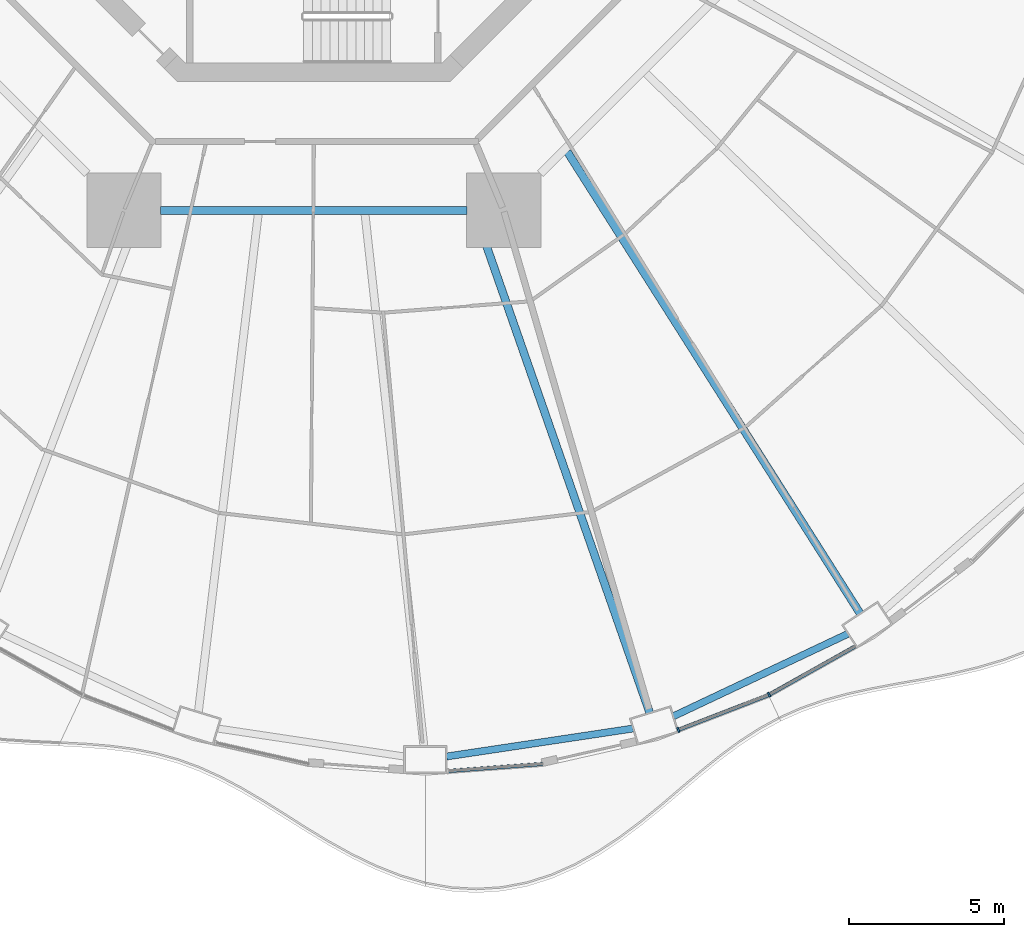
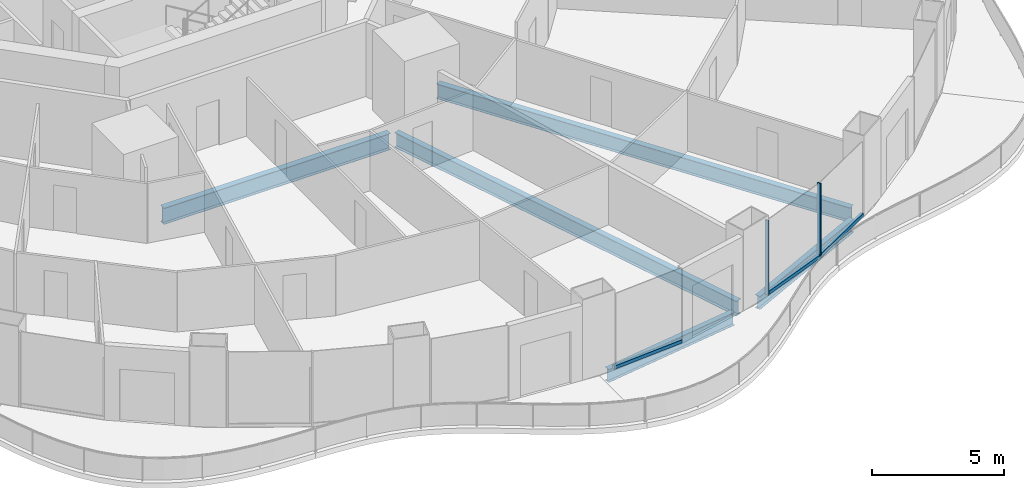
# One storey, part 4 of 22: 5 beams, 5 members, 3 elements without a shape of their own.
"""IFC4 building model written with IfcOpenShell, lengths in metres."""

from ifc_helpers import new_model, si_unit, direction, frame, origin, origin_2d, place, context, subcontext, project, spatial, rectangle, i_section, extrude, material, layer, layer_set, material_profile, profile_set, type_object, element, aggregate, save


model = new_model("IFC4")

# Units and contexts
model_context = context("Model", 3, precision=1e-05, world=origin(), true_north=direction((0.0, 1.0)))
body_context = subcontext(model_context, "Body", "Model", "MODEL_VIEW")
ifc_project = project(units=[si_unit("LENGTHUNIT", "METRE"), si_unit("AREAUNIT", "SQUARE_METRE"), si_unit("VOLUMEUNIT", "CUBIC_METRE"), si_unit("PLANEANGLEUNIT", "RADIAN"), si_unit("MASSUNIT", "GRAM", prefix="KILO")], contexts=[model_context])

# Site, building, storey
site_placement = place(None, origin())
site = spatial("IfcSite", under=ifc_project, at=site_placement, CompositionType="ELEMENT")
building_placement = place(site_placement, origin())
building = spatial("IfcBuilding", under=site, at=building_placement, Name="Nagisa Residences", CompositionType="ELEMENT")
storey_placement = place(building_placement, frame((0.0, 0.0, 41.800048828125)))
storey = spatial("IfcBuildingStorey", under=building, at=storey_placement, Name="L09", CompositionType="ELEMENT", Elevation=41.800048828125)

# Curtain wall, member
ifc_material_1 = material(Name="Concrete-coloured aluminium curtain wall system", Category="concrete")
ifc_layer = layer(ifc_material_1, 0.159912109375)
ifc_layer_set = layer_set([ifc_layer], Name="CW1 CURTAIN WALL")
curtain_wall_type = type_object("IfcCurtainWallType", Name="CW1 CURTAIN WALL", PredefinedType="NOTDEFINED", material=ifc_layer_set)
curtain_wall_1_placement = place(storey_placement, origin())
curtain_wall_1 = element("IfcCurtainWall", 1, at=curtain_wall_1_placement, inside=storey, type_object=curtain_wall_type, Name="cw:CW1:L09:38", PredefinedType="NOTDEFINED")
ifc_material_2 = material(Name="Concrete-coloured aluminium", Category="concrete")
ifc_material_profile_1 = material_profile(ifc_material_2, rectangle(XDim=0.159912109375, YDim=0.06005859375, at=origin_2d()), Name="CW1 MULLION 160x60")
ifc_profile_set_1 = profile_set([ifc_material_profile_1], Name="Concrete-coloured aluminium")
member_type_1 = type_object("IfcMemberType", Name="CW1 MULLION 160x60", PredefinedType="MULLION", material=ifc_profile_set_1)
member_1_placement = place(storey_placement, frame((11.7578125, -31.537841796875, 0.0), z_axis=(0.0, 0.0, 1.0), x_axis=(-0.360327770268, 0.932825759707, 0.0)))
member_1 = element("IfcMember", 2, at=member_1_placement, type_object=member_type_1, Name="CW1 mullion", PredefinedType="MULLION", context=body_context, shape_type="SweptSolid", body=[
    extrude(rectangle(XDim=0.159912109375, YDim=0.06005859375, at=origin_2d()), origin(), (0.0, 0.0, 1.0), 3.43994140625),
])

curtain_wall_2_placement = place(storey_placement, origin())
curtain_wall_2 = element("IfcCurtainWall", 3, at=curtain_wall_2_placement, inside=storey, type_object=curtain_wall_type, Name="cw:CW1:L09:39", PredefinedType="NOTDEFINED")
member_2_placement = place(storey_placement, frame((14.684814453125, -30.403564453125, 0.0), z_axis=(0.0, 0.0, 1.0), x_axis=(-0.489376918501, 0.872072377523, 0.0)))
member_2 = element("IfcMember", 4, at=member_2_placement, type_object=member_type_1, Name="CW1 mullion", PredefinedType="MULLION", context=body_context, shape_type="SweptSolid", body=[
    extrude(rectangle(XDim=0.159912109375, YDim=0.06005859375, at=origin_2d()), origin(), (0.0, 0.0, 1.0), 3.43994140625),
])

curtain_wall_3_placement = place(storey_placement, origin())
curtain_wall_3 = element("IfcCurtainWall", 5, at=curtain_wall_3_placement, inside=storey, type_object=curtain_wall_type, Name="cw:CW1:L09:36", PredefinedType="NOTDEFINED")
ifc_material_3 = material(Name="Concrete-coloured aluminium", Category="concrete")
ifc_material_profile_2 = material_profile(ifc_material_3, rectangle(XDim=0.1201171875, YDim=0.14990234375, at=origin_2d()), Name="CW1 TRANSOM 120x150")
ifc_profile_set_2 = profile_set([ifc_material_profile_2], Name="Concrete-coloured aluminium")
member_type_2 = type_object("IfcMemberType", Name="CW1 TRANSOM 120x150", PredefinedType="USERDEFINED", material=ifc_profile_set_2)
member_3_placement = place(storey_placement, frame((4.2919921875, -32.8681640625, 0.074951171875), z_axis=(0.997231270995, 0.07436257224, 0.0), x_axis=(-0.07436257224, 0.997231270995, 0.0)))
member_3 = element("IfcMember", 6, at=member_3_placement, type_object=member_type_2, Name="CW1 transom", ObjectType="TRANSOM", PredefinedType="USERDEFINED", context=body_context, shape_type="SweptSolid", body=[
    extrude(rectangle(XDim=0.1201171875, YDim=0.14990234375, at=origin_2d()), origin(), (0.0, 0.0, 1.0), 3.095947265625),
])
aggregate(curtain_wall_3, [member_3])

# Member
member_4_placement = place(storey_placement, frame((11.72998046875, -31.548583984375, 0.074951171875), z_axis=(0.932825366452, 0.360328788337, 0.0), x_axis=(-0.360328788337, 0.932825366452, 0.0)))
member_4 = element("IfcMember", 7, at=member_4_placement, type_object=member_type_2, Name="CW1 transom", ObjectType="TRANSOM", PredefinedType="USERDEFINED", context=body_context, shape_type="SweptSolid", body=[
    extrude(rectangle(XDim=0.1201171875, YDim=0.14990234375, at=origin_2d()), origin(), (0.0, 0.0, 1.0), 3.150634765625),
])

aggregate(curtain_wall_1, [member_1, member_4])

member_5_placement = place(storey_placement, frame((14.65869140625, -30.418212890625, 0.074951171875), z_axis=(0.872070011948, 0.489381133946, 0.0), x_axis=(-0.489381133946, 0.872070011948, 0.0)))
member_5 = element("IfcMember", 8, at=member_5_placement, type_object=member_type_2, Name="CW1 transom", ObjectType="TRANSOM", PredefinedType="USERDEFINED", context=body_context, shape_type="SweptSolid", body=[
    extrude(rectangle(XDim=0.1201171875, YDim=0.14990234375, at=origin_2d()), origin(), (0.0, 0.0, 1.0), 3.201171875),
])

aggregate(curtain_wall_2, [member_2, member_5])

# Beams
ifc_material_4 = material(Name="Steel ASTM A572 Gr 50", Category="steel")
ifc_material_profile_3 = material_profile(ifc_material_4, i_section(OverallWidth=0.264892578125, OverallDepth=0.7529296875, WebThickness=0.01318359375, FlangeThickness=0.01708984375, at=origin_2d()), Name="W760x147")
ifc_profile_set_3 = profile_set([ifc_material_profile_3], Name="Steel ASTM A572 Gr 50")
beam_type_1 = type_object("IfcBeamType", Name="Inner ring beam W760x147", PredefinedType="BEAM", material=ifc_profile_set_3)
beam_1_placement = place(storey_placement, frame((-4.94287109375, -14.781982421875, -0.636474609375), z_axis=(1.0, 0.0, 0.0), x_axis=(0.0, 1.0, 0.0)))
element("IfcBeam", 9, at=beam_1_placement, inside=storey, type_object=beam_type_1, Name="beam:L09:ib6", PredefinedType="BEAM", context=body_context, shape_type="SweptSolid", body=[
    extrude(i_section(OverallWidth=0.264892578125, OverallDepth=0.7529296875, WebThickness=0.01318359375, FlangeThickness=0.01708984375, at=origin_2d()), origin(), (0.0, 0.0, 1.0), 9.8857421875),
])
ifc_material_5 = material(Name="Steel ASTM A572 Gr 50", Category="steel")
ifc_material_profile_4 = material_profile(ifc_material_5, i_section(OverallWidth=0.22802734375, OverallDepth=0.60302734375, WebThickness=0.010498046875, FlangeThickness=0.014892578125, at=origin_2d()), Name="W610x101")
ifc_profile_set_4 = profile_set([ifc_material_profile_4], Name="Steel ASTM A572 Gr 50")
beam_type_2 = type_object("IfcBeamType", Name="Perimeter ring beam W610x101", PredefinedType="BEAM", material=ifc_profile_set_4)
beam_2_placement = place(storey_placement, frame((4.2802734375, -32.39794921875, -0.5615234375), z_axis=(0.988914559467, 0.14848566959, 0.0), x_axis=(-0.14848566959, 0.988914559467, 0.0)))
element("IfcBeam", 10, at=beam_2_placement, inside=storey, type_object=beam_type_2, Name="beam:L09:pb19", PredefinedType="BEAM", context=body_context, shape_type="SweptSolid", body=[
    extrude(i_section(OverallWidth=0.22802734375, OverallDepth=0.60302734375, WebThickness=0.010498046875, FlangeThickness=0.014892578125, at=origin_2d()), origin(), (0.0, 0.0, 1.0), 6.08349609375),
])
beam_3_placement = place(storey_placement, frame((11.597900390625, -31.098876953125, -0.5615234375), z_axis=(0.904215426643, 0.427076646774, 0.0), x_axis=(-0.427076646774, 0.904215426643, 0.0)))
element("IfcBeam", 11, at=beam_3_placement, inside=storey, type_object=beam_type_2, Name="beam:L09:pb20", PredefinedType="BEAM", context=body_context, shape_type="SweptSolid", body=[
    extrude(i_section(OverallWidth=0.22802734375, OverallDepth=0.60302734375, WebThickness=0.010498046875, FlangeThickness=0.014892578125, at=origin_2d()), origin(), (0.0, 0.0, 1.0), 6.2275390625),
])
ifc_material_6 = material(Name="Steel ASTM A572 Gr 50", Category="steel")
ifc_material_profile_5 = material_profile(ifc_material_6, i_section(OverallWidth=0.25390625, OverallDepth=0.68408203125, WebThickness=0.012451171875, FlangeThickness=0.018798828125, at=origin_2d()), Name="W690x140")
ifc_profile_set_5 = profile_set([ifc_material_profile_5], Name="Steel ASTM A572 Gr 50")
beam_type_3 = type_object("IfcBeamType", Name="Radial beam W690x140", PredefinedType="BEAM", material=ifc_profile_set_5)
beam_4_placement = place(storey_placement, frame((10.834228515625, -30.986328125, -0.60205078125), z_axis=(-0.330051195485, 0.943963033364, 0.0), x_axis=(-0.943963033364, -0.330051195485, 0.0)))
element("IfcBeam", 12, at=beam_4_placement, inside=storey, type_object=beam_type_3, Name="beam:L09:rb20", PredefinedType="BEAM", context=body_context, shape_type="SweptSolid", body=[
    extrude(i_section(OverallWidth=0.25390625, OverallDepth=0.68408203125, WebThickness=0.012451171875, FlangeThickness=0.018798828125, at=origin_2d()), origin(), (0.0, 0.0, 1.0), 17.045654296875),
])
beam_5_placement = place(storey_placement, frame((17.61962890625, -27.78271484375, -0.60205078125), z_axis=(-0.53556610664, 0.844493306911, 0.0), x_axis=(-0.844493306911, -0.53556610664, 0.0)))
element("IfcBeam", 13, at=beam_5_placement, inside=storey, type_object=beam_type_3, Name="beam:L09:rb21", PredefinedType="BEAM", context=body_context, shape_type="SweptSolid", body=[
    extrude(i_section(OverallWidth=0.25390625, OverallDepth=0.68408203125, WebThickness=0.012451171875, FlangeThickness=0.018798828125, at=origin_2d()), origin(), (0.0, 0.0, 1.0), 17.63525390625),
])

save(model, "model.ifc")
